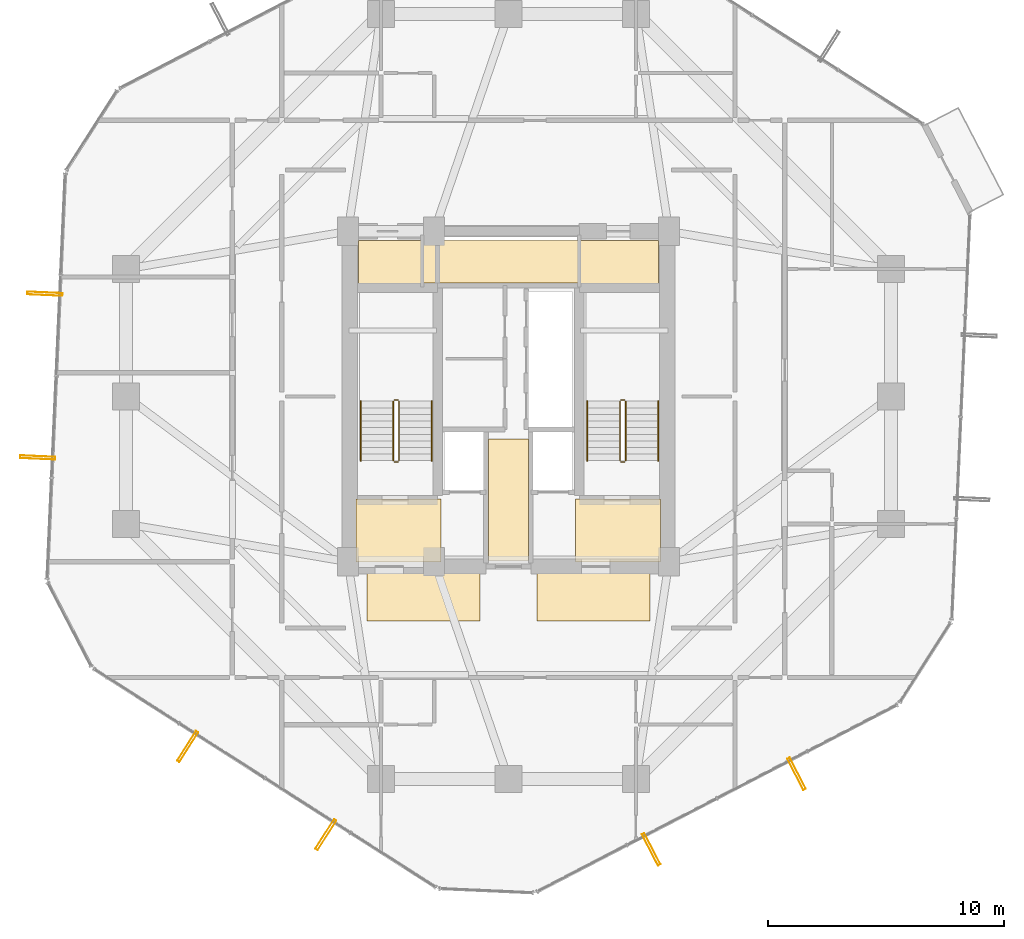
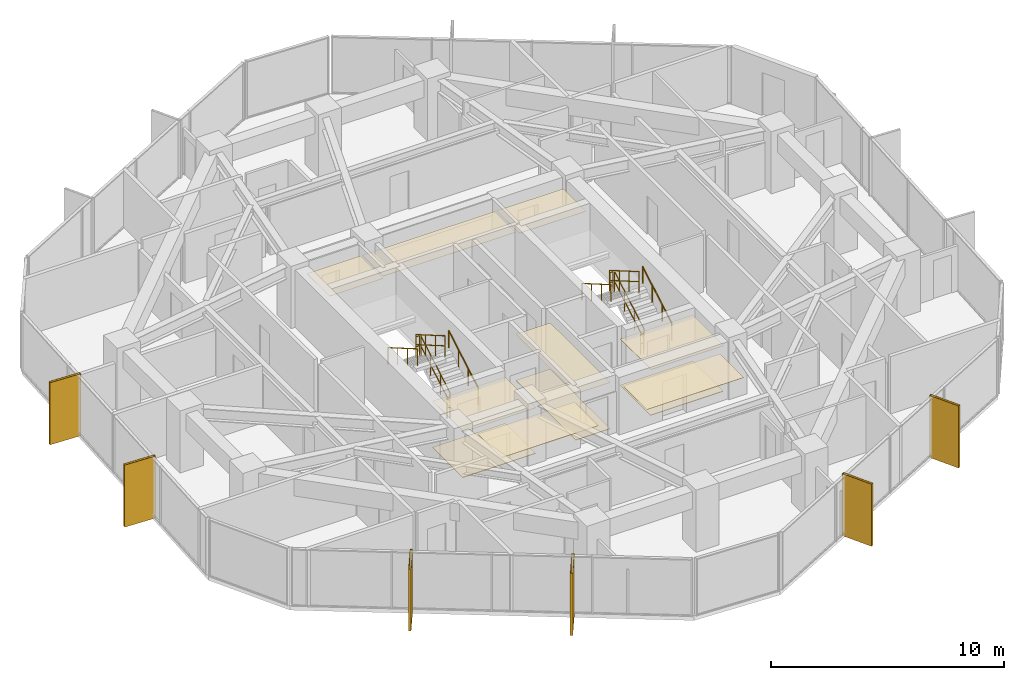
# One storey, part 29 of 30: 12 railings, 11 coverings, 6 shading devices.
"""IFC4 building model written with IfcOpenShell, lengths in metres."""

from ifc_helpers import new_model, si_unit, direction, frame, origin, origin_2d, place, context, subcontext, project, spatial, polyline, hollow_rectangle, circle, outline, extrude, material, layer, layer_set, material_profile, profile_set, type_object, element, save


model = new_model("IFC4")

# Units and contexts
model_context = context("Model", 3, precision=1e-05, world=origin(), true_north=direction((0.0, 1.0)))
body_context = subcontext(model_context, "Body", "Model", "MODEL_VIEW")
ifc_project = project(units=[si_unit("LENGTHUNIT", "METRE"), si_unit("AREAUNIT", "SQUARE_METRE"), si_unit("VOLUMEUNIT", "CUBIC_METRE"), si_unit("PLANEANGLEUNIT", "RADIAN"), si_unit("MASSUNIT", "GRAM", prefix="KILO")], contexts=[model_context])

# Site, building, storey
site_placement = place(None, origin())
site = spatial("IfcSite", under=ifc_project, at=site_placement, CompositionType="ELEMENT")
building_placement = place(site_placement, origin())
building = spatial("IfcBuilding", under=site, at=building_placement, Name="Veraguas Prism Commons", CompositionType="ELEMENT")
storey_placement = place(building_placement, frame((0.0, 0.0, 119.75)))
storey = spatial("IfcBuildingStorey", under=building, at=storey_placement, Name="L33", CompositionType="ELEMENT", Elevation=119.75)

# Shading devices
ifc_material_1 = material(Name="Anodised aluminium EN AW-6063 T6", Category="aluminium")
ifc_material_profile = material_profile(ifc_material_1, hollow_rectangle(XDim=0.1201171875, YDim=1.489990234375, WallThickness=0.006103515625, at=origin_2d()), Name="FIN120X1490X6")
ifc_profile_set = profile_set([ifc_material_profile], Name="Anodised aluminium EN AW-6063 T6")
shading_device_type = type_object("IfcShadingDeviceType", Name="Deep Pale-Metal Vertical Solar Fin 120x1490", PredefinedType="USERDEFINED", material=ifc_profile_set)
for number, where, z_axis, x_axis, name in (
    (1, (4.367431640625, 28.35205078125, -0.22998046875), (0.0, 0.0, 1.0), (-0.044669051283, -0.999001839767, 0.0), "Vertical Pale-Metal Solar Fin L33-F3A"),
    (2, (4.057373046875, 21.417236328125, -0.22998046875), (0.0, 0.0, 1.0), (-0.044669051283, -0.999001839767, 0.0), "Vertical Pale-Metal Solar Fin L33-F3B"),
    (3, (10.41455078125, 9.173583984375, -0.22998046875), (0.0, 0.0, 1.0), (0.842828324641, -0.538182511035, 0.0), "Vertical Pale-Metal Solar Fin L33-F4A"),
    (4, (16.265380859375, 5.437744140625, -0.22998046875), (0.0, 0.0, 1.0), (0.842828324641, -0.538182511035, 0.0), "Vertical Pale-Metal Solar Fin L33-F4B"),
    (5, (30.04736328125, 4.821533203125, -0.22998046875), (0.0, 0.0, 1.0), (0.887494693029, 0.460817935681, 0.0), "Vertical Pale-Metal Solar Fin L33-F5A"),
    (6, (36.2080078125, 8.0205078125, -0.22998046875), (0.0, 0.0, 1.0), (0.887494693029, 0.460817935681, 0.0), "Vertical Pale-Metal Solar Fin L33-F5B"),
):
    element("IfcShadingDevice", number, at=place(storey_placement, frame(where, z_axis=z_axis, x_axis=x_axis)), inside=storey, type_object=shading_device_type, Name=name, ObjectType="FIN", PredefinedType="USERDEFINED", context=body_context, shape_type="SweptSolid", body=[
        extrude(hollow_rectangle(XDim=0.1201171875, YDim=1.489990234375, WallThickness=0.006103515625, at=origin_2d()), origin(), (0.0, 0.0, 1.0), 3.25),
    ])

# Coverings
ifc_material_2 = material(Name="Acoustic gypsum board")
ifc_layer_1 = layer(ifc_material_2, 0.02490234375, Name="Perforated Acoustic Ceiling Tile 25")
ifc_layer_set_1 = layer_set([ifc_layer_1], Name="Acoustic gypsum board")
covering_type_1 = type_object("IfcCoveringType", Name="Perforated Acoustic Ceiling Tile 25", PredefinedType="USERDEFINED", material=ifc_layer_set_1)
covering_1_placement = place(storey_placement, frame((0.0, 0.0, 2.425048828125)))
element("IfcCovering", 7, at=covering_1_placement, inside=storey, type_object=covering_type_1, Name="East Lobby Acoustic Ceiling L33", ObjectType="ACOUSTIC CEILING", PredefinedType="USERDEFINED", context=body_context, shape_type="SweptSolid", body=[
    extrude(outline(polyline([(26.85009765625, 17.0), (30.449951171875, 17.0), (30.449951171875, 19.64990234375), (26.85009765625, 19.64990234375), (26.85009765625, 17.0)])), origin(), (0.0, 0.0, 1.0), 0.02490234375),
])
ifc_material_3 = material(Name="Terrazzo stone finish", Category="masonry")
ifc_layer_2 = layer(ifc_material_3, 0.030029296875, Name="Polished Terrazzo Floor Finish 30", Category="masonry")
ifc_layer_set_2 = layer_set([ifc_layer_2], Name="Terrazzo stone finish")
covering_type_2 = type_object("IfcCoveringType", Name="Polished Terrazzo Floor Finish 30", PredefinedType="FLOORING", material=ifc_layer_set_2)
covering_2_placement = place(storey_placement, origin())
element("IfcCovering", 8, at=covering_2_placement, inside=storey, type_object=covering_type_2, Name="Terrazzo Lobby Flooring L33", PredefinedType="FLOORING", context=body_context, shape_type="SweptSolid", body=[
    extrude(outline(polyline([(23.14990234375, 17.050048828125), (24.85009765625, 17.050048828125), (24.85009765625, 22.199951171875), (23.14990234375, 22.199951171875), (23.14990234375, 17.050048828125)])), origin(), (0.0, 0.0, 1.0), 0.030029296875),
])
covering_3_placement = place(storey_placement, origin())
element("IfcCovering", 9, at=covering_3_placement, inside=storey, type_object=covering_type_2, Name="West FF Lobby Terrazzo Flooring L33", PredefinedType="FLOORING", context=body_context, shape_type="SweptSolid", body=[
    extrude(outline(polyline([(17.550048828125, 17.050048828125), (21.14990234375, 17.050048828125), (21.14990234375, 19.64990234375), (17.550048828125, 19.64990234375), (17.550048828125, 17.050048828125)])), origin(), (0.0, 0.0, 1.0), 0.030029296875),
])
covering_4_placement = place(storey_placement, origin())
element("IfcCovering", 10, at=covering_4_placement, inside=storey, type_object=covering_type_2, Name="East FF Lobby Terrazzo Flooring L33", PredefinedType="FLOORING", context=body_context, shape_type="SweptSolid", body=[
    extrude(outline(polyline([(26.85009765625, 17.050048828125), (30.449951171875, 17.050048828125), (30.449951171875, 19.64990234375), (26.85009765625, 19.64990234375), (26.85009765625, 17.050048828125)])), origin(), (0.0, 0.0, 1.0), 0.030029296875),
])

# Railings
ifc_material_4 = material(Name="Stainless steel AISI 316", Category="steel")
railing_type_1 = type_object("IfcRailingType", Name="Stair and Ramp Stainless Handrail 900", PredefinedType="HANDRAIL", material=ifc_material_4)
railing_1_placement = place(storey_placement, frame((20.75, 21.280029296875, 0.16259765625)))
element("IfcRailing", 11, at=railing_1_placement, inside=storey, type_object=railing_type_1, Name="Stair Handrail ST-01 L33-1", PredefinedType="HANDRAIL", context=body_context, shape_type="SweptSolid", body=[
    extrude(circle(Radius=0.02392578125, at=origin_2d()), frame((0.0, 0.0, 0.8759765625), z_axis=(0.0, 0.864913338283, 0.50192122615), x_axis=(-1.0, 0.0, 0.0)), (0.0, 0.0, 1.0), 2.91357421875),
    extrude(circle(Radius=0.02099609375, at=origin_2d()), origin(), (0.0, 0.0, 1.0), 0.851806640625),
    extrude(circle(Radius=0.02099609375, at=origin_2d()), frame((0.0, 0.840087890625, 0.487548828125)), (0.0, 0.0, 1.0), 0.851806640625),
    extrude(circle(Radius=0.02099609375, at=origin_2d()), frame((0.0, 1.679931640625, 0.974853515625)), (0.0, 0.0, 1.0), 0.851806640625),
    extrude(circle(Radius=0.02099609375, at=origin_2d()), frame((0.0, 2.52001953125, 1.46240234375)), (0.0, 0.0, 1.0), 0.851806640625),
])
railing_2_placement = place(storey_placement, frame((17.739990234375, 23.800048828125, 1.78759765625)))
element("IfcRailing", 12, at=railing_2_placement, inside=storey, type_object=railing_type_1, Name="Stair Handrail ST-01 L33-2", PredefinedType="HANDRAIL", context=body_context, shape_type="SweptSolid", body=[
    extrude(circle(Radius=0.02392578125, at=origin_2d()), frame((0.0, 0.0, 0.8759765625), z_axis=(0.0, -0.864913338283, 0.50192122615), x_axis=(1.0, 0.0, 0.0)), (0.0, 0.0, 1.0), 2.91357421875),
    extrude(circle(Radius=0.02099609375, at=origin_2d()), origin(), (0.0, 0.0, 1.0), 0.851806640625),
    extrude(circle(Radius=0.02099609375, at=origin_2d()), frame((0.0, -0.840087890625, 0.487548828125)), (0.0, 0.0, 1.0), 0.851806640625),
    extrude(circle(Radius=0.02099609375, at=origin_2d()), frame((0.0, -1.679931640625, 0.974853515625)), (0.0, 0.0, 1.0), 0.851806640625),
    extrude(circle(Radius=0.02099609375, at=origin_2d()), frame((0.0, -2.52001953125, 1.46240234375)), (0.0, 0.0, 1.0), 0.851806640625),
])
railing_3_placement = place(storey_placement, frame((30.35009765625, 21.280029296875, 0.16259765625)))
element("IfcRailing", 13, at=railing_3_placement, inside=storey, type_object=railing_type_1, Name="Stair Handrail ST-02 L33-1", PredefinedType="HANDRAIL", context=body_context, shape_type="SweptSolid", body=[
    extrude(circle(Radius=0.02392578125, at=origin_2d()), frame((0.0, 0.0, 0.8759765625), z_axis=(0.0, 0.864913338283, 0.50192122615), x_axis=(-1.0, 0.0, 0.0)), (0.0, 0.0, 1.0), 2.91357421875),
    extrude(circle(Radius=0.02099609375, at=origin_2d()), origin(), (0.0, 0.0, 1.0), 0.851806640625),
    extrude(circle(Radius=0.02099609375, at=origin_2d()), frame((0.0, 0.840087890625, 0.487548828125)), (0.0, 0.0, 1.0), 0.851806640625),
    extrude(circle(Radius=0.02099609375, at=origin_2d()), frame((0.0, 1.679931640625, 0.974853515625)), (0.0, 0.0, 1.0), 0.851806640625),
    extrude(circle(Radius=0.02099609375, at=origin_2d()), frame((0.0, 2.52001953125, 1.46240234375)), (0.0, 0.0, 1.0), 0.851806640625),
])
railing_4_placement = place(storey_placement, frame((27.340087890625, 23.800048828125, 1.78759765625)))
element("IfcRailing", 14, at=railing_4_placement, inside=storey, type_object=railing_type_1, Name="Stair Handrail ST-02 L33-2", PredefinedType="HANDRAIL", context=body_context, shape_type="SweptSolid", body=[
    extrude(circle(Radius=0.02392578125, at=origin_2d()), frame((0.0, 0.0, 0.8759765625), z_axis=(0.0, -0.864913338283, 0.50192122615), x_axis=(1.0, 0.0, 0.0)), (0.0, 0.0, 1.0), 2.91357421875),
    extrude(circle(Radius=0.02099609375, at=origin_2d()), origin(), (0.0, 0.0, 1.0), 0.851806640625),
    extrude(circle(Radius=0.02099609375, at=origin_2d()), frame((0.0, -0.840087890625, 0.487548828125)), (0.0, 0.0, 1.0), 0.851806640625),
    extrude(circle(Radius=0.02099609375, at=origin_2d()), frame((0.0, -1.679931640625, 0.974853515625)), (0.0, 0.0, 1.0), 0.851806640625),
    extrude(circle(Radius=0.02099609375, at=origin_2d()), frame((0.0, -2.52001953125, 1.46240234375)), (0.0, 0.0, 1.0), 0.851806640625),
])
railing_type_2 = type_object("IfcRailingType", Name="Stairwell Safety Guardrail 1100", PredefinedType="GUARDRAIL", material=ifc_material_4)
railing_5_placement = place(storey_placement, frame((19.3701171875, 21.280029296875, 0.16259765625)))
element("IfcRailing", 15, at=railing_5_placement, inside=storey, type_object=railing_type_2, Name="Stair Guard ST-01 L33-1", PredefinedType="GUARDRAIL", context=body_context, shape_type="SweptSolid", body=[
    extrude(circle(Radius=0.02392578125, at=origin_2d()), frame((0.0, 0.0, 1.076171875), z_axis=(0.0, 0.864913338283, 0.50192122615), x_axis=(-1.0, 0.0, 0.0)), (0.0, 0.0, 1.0), 2.91357421875),
    extrude(circle(Radius=0.02392578125, at=origin_2d()), frame((0.0, 0.0, 0.550048828125), z_axis=(0.0, 0.864913338283, 0.50192122615), x_axis=(-1.0, 0.0, 0.0)), (0.0, 0.0, 1.0), 2.91357421875),
    extrude(circle(Radius=0.02099609375, at=origin_2d()), origin(), (0.0, 0.0, 1.0), 1.052001953125),
    extrude(circle(Radius=0.02099609375, at=origin_2d()), frame((0.0, 0.840087890625, 0.487548828125)), (0.0, 0.0, 1.0), 1.052001953125),
    extrude(circle(Radius=0.02099609375, at=origin_2d()), frame((0.0, 1.679931640625, 0.974853515625)), (0.0, 0.0, 1.0), 1.052001953125),
    extrude(circle(Radius=0.02099609375, at=origin_2d()), frame((0.0, 2.52001953125, 1.46240234375)), (0.0, 0.0, 1.0), 1.052001953125),
])
railing_6_placement = place(storey_placement, frame((19.320068359375, 23.85009765625, 1.625)))
element("IfcRailing", 16, at=railing_6_placement, inside=storey, type_object=railing_type_2, Name="Stair Guard ST-01 L33-2", PredefinedType="GUARDRAIL", context=body_context, shape_type="SweptSolid", body=[
    extrude(circle(Radius=0.02392578125, at=origin_2d()), frame((0.0, 0.0, 1.076171875), z_axis=(-1.0, 0.0, 0.0), x_axis=(0.0, -1.0, 0.0)), (0.0, 0.0, 1.0), 0.150146484375),
    extrude(circle(Radius=0.02392578125, at=origin_2d()), frame((0.0, 0.0, 0.550048828125), z_axis=(-1.0, 0.0, 0.0), x_axis=(0.0, -1.0, 0.0)), (0.0, 0.0, 1.0), 0.150146484375),
    extrude(circle(Radius=0.02099609375, at=origin_2d()), origin(), (0.0, 0.0, 1.0), 1.052001953125),
    extrude(circle(Radius=0.02099609375, at=origin_2d()), frame((-0.150146484375, 0.0, 0.0)), (0.0, 0.0, 1.0), 1.052001953125),
])
railing_7_placement = place(storey_placement, frame((19.1201171875, 23.800048828125, 1.78759765625)))
element("IfcRailing", 17, at=railing_7_placement, inside=storey, type_object=railing_type_2, Name="Stair Guard ST-01 L33-3", PredefinedType="GUARDRAIL", context=body_context, shape_type="SweptSolid", body=[
    extrude(circle(Radius=0.02392578125, at=origin_2d()), frame((0.0, 0.0, 1.076171875), z_axis=(0.0, -0.864913338283, 0.50192122615), x_axis=(1.0, 0.0, 0.0)), (0.0, 0.0, 1.0), 2.91357421875),
    extrude(circle(Radius=0.02392578125, at=origin_2d()), frame((0.0, 0.0, 0.550048828125), z_axis=(0.0, -0.864913338283, 0.50192122615), x_axis=(1.0, 0.0, 0.0)), (0.0, 0.0, 1.0), 2.91357421875),
    extrude(circle(Radius=0.02099609375, at=origin_2d()), origin(), (0.0, 0.0, 1.0), 1.052001953125),
    extrude(circle(Radius=0.02099609375, at=origin_2d()), frame((0.0, -0.840087890625, 0.487548828125)), (0.0, 0.0, 1.0), 1.052001953125),
    extrude(circle(Radius=0.02099609375, at=origin_2d()), frame((0.0, -1.679931640625, 0.974853515625)), (0.0, 0.0, 1.0), 1.052001953125),
    extrude(circle(Radius=0.02099609375, at=origin_2d()), frame((0.0, -2.52001953125, 1.46240234375)), (0.0, 0.0, 1.0), 1.052001953125),
])
railing_8_placement = place(storey_placement, frame((19.320068359375, 21.22998046875, 0.0)))
element("IfcRailing", 18, at=railing_8_placement, inside=storey, type_object=railing_type_2, Name="Stair Guard ST-01 L33-4", PredefinedType="GUARDRAIL", context=body_context, shape_type="SweptSolid", body=[
    extrude(circle(Radius=0.02392578125, at=origin_2d()), frame((0.0, 0.0, 1.076171875), z_axis=(-1.0, 0.0, 0.0), x_axis=(0.0, -1.0, 0.0)), (0.0, 0.0, 1.0), 0.150146484375),
    extrude(circle(Radius=0.02392578125, at=origin_2d()), frame((0.0, 0.0, 0.550048828125), z_axis=(-1.0, 0.0, 0.0), x_axis=(0.0, -1.0, 0.0)), (0.0, 0.0, 1.0), 0.150146484375),
    extrude(circle(Radius=0.02099609375, at=origin_2d()), origin(), (0.0, 0.0, 1.0), 1.052001953125),
    extrude(circle(Radius=0.02099609375, at=origin_2d()), frame((-0.150146484375, 0.0, 0.0)), (0.0, 0.0, 1.0), 1.052001953125),
])
railing_9_placement = place(storey_placement, frame((28.969970703125, 21.280029296875, 0.16259765625)))
element("IfcRailing", 19, at=railing_9_placement, inside=storey, type_object=railing_type_2, Name="Stair Guard ST-02 L33-1", PredefinedType="GUARDRAIL", context=body_context, shape_type="SweptSolid", body=[
    extrude(circle(Radius=0.02392578125, at=origin_2d()), frame((0.0, 0.0, 1.076171875), z_axis=(0.0, 0.864913338283, 0.50192122615), x_axis=(-1.0, 0.0, 0.0)), (0.0, 0.0, 1.0), 2.91357421875),
    extrude(circle(Radius=0.02392578125, at=origin_2d()), frame((0.0, 0.0, 0.550048828125), z_axis=(0.0, 0.864913338283, 0.50192122615), x_axis=(-1.0, 0.0, 0.0)), (0.0, 0.0, 1.0), 2.91357421875),
    extrude(circle(Radius=0.02099609375, at=origin_2d()), origin(), (0.0, 0.0, 1.0), 1.052001953125),
    extrude(circle(Radius=0.02099609375, at=origin_2d()), frame((0.0, 0.840087890625, 0.487548828125)), (0.0, 0.0, 1.0), 1.052001953125),
    extrude(circle(Radius=0.02099609375, at=origin_2d()), frame((0.0, 1.679931640625, 0.974853515625)), (0.0, 0.0, 1.0), 1.052001953125),
    extrude(circle(Radius=0.02099609375, at=origin_2d()), frame((0.0, 2.52001953125, 1.46240234375)), (0.0, 0.0, 1.0), 1.052001953125),
])
railing_10_placement = place(storey_placement, frame((28.919921875, 23.85009765625, 1.625)))
element("IfcRailing", 20, at=railing_10_placement, inside=storey, type_object=railing_type_2, Name="Stair Guard ST-02 L33-2", PredefinedType="GUARDRAIL", context=body_context, shape_type="SweptSolid", body=[
    extrude(circle(Radius=0.02392578125, at=origin_2d()), frame((0.0, 0.0, 1.076171875), z_axis=(-1.0, 0.0, 0.0), x_axis=(0.0, -1.0, 0.0)), (0.0, 0.0, 1.0), 0.14990234375),
    extrude(circle(Radius=0.02392578125, at=origin_2d()), frame((0.0, 0.0, 0.550048828125), z_axis=(-1.0, 0.0, 0.0), x_axis=(0.0, -1.0, 0.0)), (0.0, 0.0, 1.0), 0.14990234375),
    extrude(circle(Radius=0.02099609375, at=origin_2d()), origin(), (0.0, 0.0, 1.0), 1.052001953125),
    extrude(circle(Radius=0.02099609375, at=origin_2d()), frame((-0.14990234375, 0.0, 0.0)), (0.0, 0.0, 1.0), 1.052001953125),
])
railing_11_placement = place(storey_placement, frame((28.719970703125, 23.800048828125, 1.78759765625)))
element("IfcRailing", 21, at=railing_11_placement, inside=storey, type_object=railing_type_2, Name="Stair Guard ST-02 L33-3", PredefinedType="GUARDRAIL", context=body_context, shape_type="SweptSolid", body=[
    extrude(circle(Radius=0.02392578125, at=origin_2d()), frame((0.0, 0.0, 1.076171875), z_axis=(0.0, -0.864913338283, 0.50192122615), x_axis=(1.0, 0.0, 0.0)), (0.0, 0.0, 1.0), 2.91357421875),
    extrude(circle(Radius=0.02392578125, at=origin_2d()), frame((0.0, 0.0, 0.550048828125), z_axis=(0.0, -0.864913338283, 0.50192122615), x_axis=(1.0, 0.0, 0.0)), (0.0, 0.0, 1.0), 2.91357421875),
    extrude(circle(Radius=0.02099609375, at=origin_2d()), origin(), (0.0, 0.0, 1.0), 1.052001953125),
    extrude(circle(Radius=0.02099609375, at=origin_2d()), frame((0.0, -0.840087890625, 0.487548828125)), (0.0, 0.0, 1.0), 1.052001953125),
    extrude(circle(Radius=0.02099609375, at=origin_2d()), frame((0.0, -1.679931640625, 0.974853515625)), (0.0, 0.0, 1.0), 1.052001953125),
    extrude(circle(Radius=0.02099609375, at=origin_2d()), frame((0.0, -2.52001953125, 1.46240234375)), (0.0, 0.0, 1.0), 1.052001953125),
])
railing_12_placement = place(storey_placement, frame((28.919921875, 21.22998046875, 0.0)))
element("IfcRailing", 22, at=railing_12_placement, inside=storey, type_object=railing_type_2, Name="Stair Guard ST-02 L33-4", PredefinedType="GUARDRAIL", context=body_context, shape_type="SweptSolid", body=[
    extrude(circle(Radius=0.02392578125, at=origin_2d()), frame((0.0, 0.0, 1.076171875), z_axis=(-1.0, 0.0, 0.0), x_axis=(0.0, -1.0, 0.0)), (0.0, 0.0, 1.0), 0.14990234375),
    extrude(circle(Radius=0.02392578125, at=origin_2d()), frame((0.0, 0.0, 0.550048828125), z_axis=(-1.0, 0.0, 0.0), x_axis=(0.0, -1.0, 0.0)), (0.0, 0.0, 1.0), 0.14990234375),
    extrude(circle(Radius=0.02099609375, at=origin_2d()), origin(), (0.0, 0.0, 1.0), 1.052001953125),
    extrude(circle(Radius=0.02099609375, at=origin_2d()), frame((-0.14990234375, 0.0, 0.0)), (0.0, 0.0, 1.0), 1.052001953125),
])

# Coverings
ifc_layer_3 = layer(ifc_material_2, 0.02001953125, Name="Suspended Gypsum Ceiling 20")
ifc_layer_set_3 = layer_set([ifc_layer_3], Name="Acoustic gypsum board")
covering_type_3 = type_object("IfcCoveringType", Name="Suspended Gypsum Ceiling 20", PredefinedType="CEILING", material=ifc_layer_set_3)
covering_5_placement = place(storey_placement, frame((0.0, 0.0, 2.429931640625)))
element("IfcCovering", 23, at=covering_5_placement, inside=storey, type_object=covering_type_3, Name="West Lobby Suspended Gypsum Ceiling L33", PredefinedType="CEILING", context=body_context, shape_type="SweptSolid", body=[
    extrude(outline(polyline([(17.550048828125, 17.0), (21.14990234375, 17.0), (21.14990234375, 19.64990234375), (17.550048828125, 19.64990234375), (17.550048828125, 17.0)])), origin(), (0.0, 0.0, 1.0), 0.02001953125),
])
covering_6_placement = place(storey_placement, frame((0.0, 0.0, 2.429931640625)))
element("IfcCovering", 24, at=covering_6_placement, inside=storey, type_object=covering_type_3, Name="Core Lobby Acoustic Ceiling L33-1", PredefinedType="CEILING", context=body_context, shape_type="SweptSolid", body=[
    extrude(outline(polyline([(18.0, 14.5), (22.800048828125, 14.5), (22.800048828125, 16.550048828125), (18.0, 16.550048828125), (18.0, 14.5)])), origin(), (0.0, 0.0, 1.0), 0.02001953125),
])
covering_7_placement = place(storey_placement, frame((0.0, 0.0, 2.429931640625)))
element("IfcCovering", 25, at=covering_7_placement, inside=storey, type_object=covering_type_3, Name="Core Lobby Acoustic Ceiling L33-2", PredefinedType="CEILING", context=body_context, shape_type="SweptSolid", body=[
    extrude(outline(polyline([(25.199951171875, 14.5), (30.0, 14.5), (30.0, 16.550048828125), (25.199951171875, 16.550048828125), (25.199951171875, 14.5)])), origin(), (0.0, 0.0, 1.0), 0.02001953125),
])
covering_8_placement = place(storey_placement, frame((0.0, 0.0, 2.429931640625)))
element("IfcCovering", 26, at=covering_8_placement, inside=storey, type_object=covering_type_3, Name="Core Lobby Acoustic Ceiling L33-3", PredefinedType="CEILING", context=body_context, shape_type="SweptSolid", body=[
    extrude(outline(polyline([(23.14990234375, 17.050048828125), (24.85009765625, 17.050048828125), (24.85009765625, 22.199951171875), (23.14990234375, 22.199951171875), (23.14990234375, 17.050048828125)])), origin(), (0.0, 0.0, 1.0), 0.02001953125),
])
covering_9_placement = place(storey_placement, frame((0.0, 0.0, 2.429931640625)))
element("IfcCovering", 27, at=covering_9_placement, inside=storey, type_object=covering_type_3, Name="Core Lobby Acoustic Ceiling L33-4", PredefinedType="CEILING", context=body_context, shape_type="SweptSolid", body=[
    extrude(outline(polyline([(17.64990234375, 28.64990234375), (20.300048828125, 28.64990234375), (20.300048828125, 30.60009765625), (17.64990234375, 30.60009765625), (17.64990234375, 28.64990234375)])), origin(), (0.0, 0.0, 1.0), 0.02001953125),
])
covering_10_placement = place(storey_placement, frame((0.0, 0.0, 2.429931640625)))
element("IfcCovering", 28, at=covering_10_placement, inside=storey, type_object=covering_type_3, Name="Core Lobby Acoustic Ceiling L33-5", PredefinedType="CEILING", context=body_context, shape_type="SweptSolid", body=[
    extrude(outline(polyline([(27.050048828125, 28.64990234375), (30.35009765625, 28.64990234375), (30.35009765625, 30.60009765625), (27.050048828125, 30.60009765625), (27.050048828125, 28.64990234375)])), origin(), (0.0, 0.0, 1.0), 0.02001953125),
])
covering_11_placement = place(storey_placement, frame((0.0, 0.0, 2.429931640625)))
element("IfcCovering", 29, at=covering_11_placement, inside=storey, type_object=covering_type_3, Name="Core Lobby Acoustic Ceiling L33-6", PredefinedType="CEILING", context=body_context, shape_type="SweptSolid", body=[
    extrude(outline(polyline([(20.39990234375, 28.800048828125), (26.949951171875, 28.800048828125), (26.949951171875, 30.60009765625), (20.39990234375, 30.60009765625), (20.39990234375, 28.800048828125)])), origin(), (0.0, 0.0, 1.0), 0.02001953125),
])

save(model, "model.ifc")
